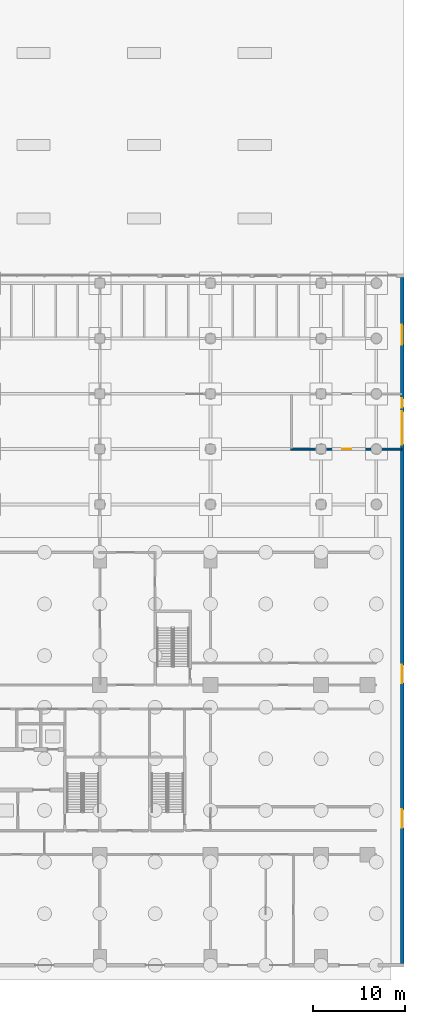
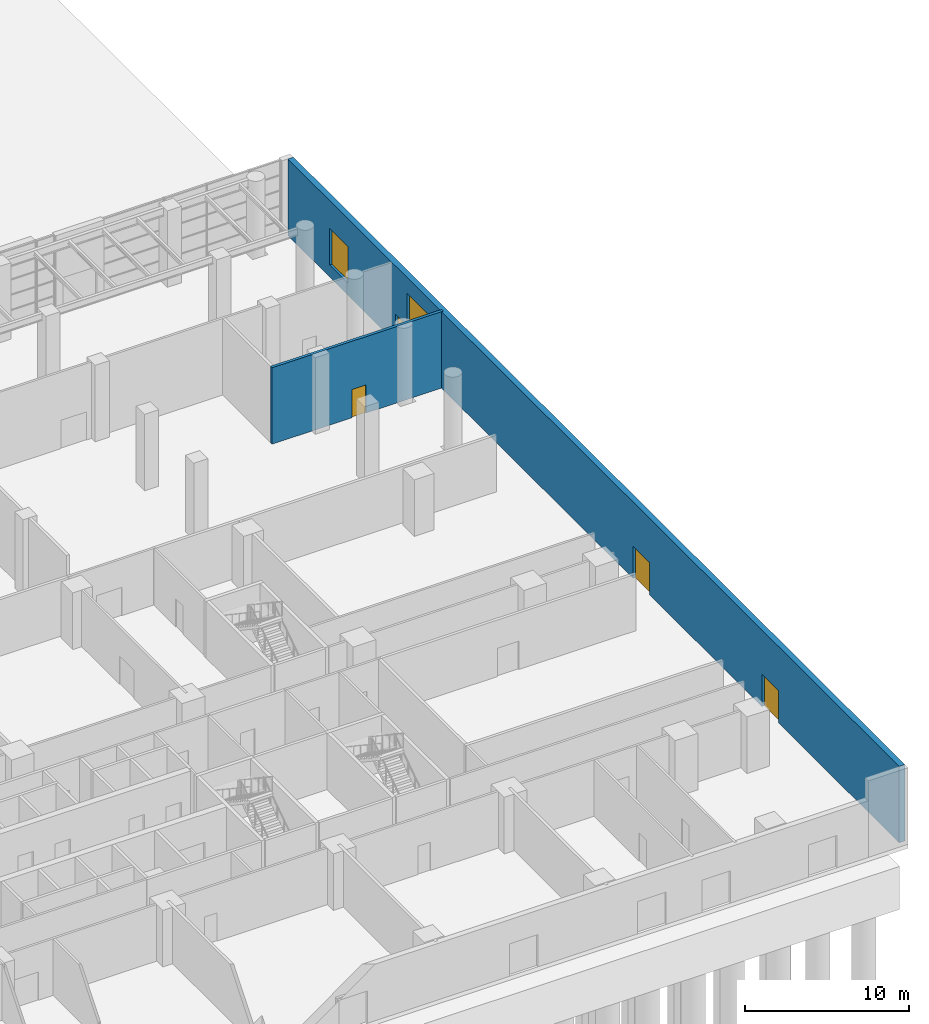
# One storey, part 22 of 27: 5 doors, 2 walls, 1 window, 6 openings.
"""IFC4 building model written with IfcOpenShell, lengths in metres."""

from ifc_helpers import new_model, si_unit, direction, frame, frame_2d, origin, place, context, subcontext, project, spatial, rectangle, extrude, material, layer, layer_set, type_object, element, fill, save


model = new_model("IFC4")

# Units and contexts
model_context = context("Model", 3, precision=1e-05, world=origin(), true_north=direction((0.0, 1.0)))
body_context = subcontext(model_context, "Body", "Model", "MODEL_VIEW")
ifc_project = project(units=[si_unit("LENGTHUNIT", "METRE"), si_unit("AREAUNIT", "SQUARE_METRE"), si_unit("VOLUMEUNIT", "CUBIC_METRE"), si_unit("PLANEANGLEUNIT", "RADIAN"), si_unit("MASSUNIT", "GRAM", prefix="KILO")], contexts=[model_context])

# Site, building, storey
site_placement = place(None, origin())
site = spatial("IfcSite", under=ifc_project, at=site_placement, CompositionType="ELEMENT")
building_placement = place(site_placement, origin())
building = spatial("IfcBuilding", under=site, at=building_placement, Name="Poui Terraces", CompositionType="ELEMENT")
storey_placement = place(building_placement, origin())
storey = spatial("IfcBuildingStorey", under=building, at=storey_placement, Name="L00", CompositionType="ELEMENT", Elevation=0.0)

# Wall, opening, door
ifc_material_1 = material(Name="Fire-rated masonry wall", Category="masonry")
ifc_layer_1 = layer(ifc_material_1, 0.199951171875)
ifc_layer_set_1 = layer_set([ifc_layer_1], Name="Fire-rated masonry wall")
wall_type_1 = type_object("IfcWallType", Name="COMPARTMENT WALL 200 5680 HIGH", PredefinedType="PARTITIONING", material=ifc_layer_set_1)
wall_1_placement = place(storey_placement, frame((92.699951171875, 56.0, 0.0), z_axis=(0.0, 0.0, 1.0), x_axis=(1.0, 0.0, 0.0)))
wall_1 = element("IfcWall", 1, at=wall_1_placement, inside=storey, type_object=wall_type_1, Name="COMPARTMENT WALL 200", PredefinedType="PARTITIONING", context=body_context, shape_type="SweptSolid", body=[
    extrude(rectangle(XDim=12.0400390625, YDim=0.199951171875, at=frame_2d((6.02001953125, 0.0))), origin(), (0.0, 0.0, 1.0), 5.679931640625),
])
opening_1_placement = place(wall_1_placement, frame((5.60009765625, 0.0, 0.0)))
opening_1 = element("IfcOpeningElement", 2, at=opening_1_placement, cuts=wall_1, Name="Opening D100", PredefinedType="OPENING", context=body_context, shape_type="SweptSolid", body=[
    extrude(rectangle(XDim=1.0, YDim=2.10009765625, at=frame_2d((0.5, 1.050048828125))), frame((0.0, 0.10986328125, 0.0), z_axis=(0.0, -1.0, 0.0), x_axis=(1.0, 0.0, 0.0)), (0.0, 0.0, 1.0), 0.219970703125),
])
ifc_material_2 = material(Name="Solid core timber door", Category="wood")
door_type_1 = type_object("IfcDoorType", Name="ACCESSIBLE INTERNAL DOOR 1000 X 2100", OperationType="NOTDEFINED", PredefinedType="DOOR", material=ifc_material_2)
door_1_placement = place(opening_1_placement, origin())
door_1 = element("IfcDoor", 3, at=door_1_placement, inside=storey, type_object=door_type_1, Name="ACCESSIBLE INTERNAL DOOR 071", OperationType="SINGLE_SWING_LEFT", OverallHeight=2.10009765625, OverallWidth=1.0, PredefinedType="DOOR", context=body_context, shape_type="SweptSolid", body=[
    extrude(rectangle(XDim=1.0, YDim=2.10009765625, at=frame_2d((0.5, 1.050048828125))), frame((0.0, 0.02490234375, 0.0), z_axis=(0.0, -1.0, 0.0), x_axis=(1.0, 0.0, 0.0)), (0.0, 0.0, 1.0), 0.050048828125),
])
fill(opening_1, door_1)

# Wall, openings, doors, window
ifc_material_3 = material(Name="Precast concrete 40 MPa", Category="concrete")
ifc_layer_2 = layer(ifc_material_3, 0.39990234375)
ifc_layer_set_2 = layer_set([ifc_layer_2], Name="Precast concrete 40 MPa")
wall_type_2 = type_object("IfcWallType", Name="EXTERNAL WALL 400", PredefinedType="STANDARD", material=ifc_layer_set_2)
wall_2_placement = place(storey_placement, frame((104.800048828125, 0.199951171875, 0.0), z_axis=(0.0, 0.0, 1.0), x_axis=(0.0, 1.0, 0.0)))
wall_2 = element("IfcWall", 4, at=wall_2_placement, inside=storey, type_object=wall_type_2, Name="EXTERNAL WALL E", PredefinedType="STANDARD", context=body_context, shape_type="SweptSolid", body=[
    extrude(rectangle(XDim=74.400146484375, YDim=0.39990234375, at=frame_2d((37.2001953125, 0.0))), origin(), (0.0, 0.0, 1.0), 5.679931640625),
])
opening_2_placement = place(wall_2_placement, frame((67.10009765625, 0.0, 0.89990234375)))
opening_2 = element("IfcOpeningElement", 5, at=opening_2_placement, cuts=wall_2, Name="Opening W4", PredefinedType="OPENING", context=body_context, shape_type="SweptSolid", body=[
    extrude(rectangle(XDim=2.199951171875, YDim=2.699951171875, at=frame_2d((1.10009765625, 1.35009765625))), frame((0.0, 0.2099609375, 0.0), z_axis=(0.0, -1.0, 0.0), x_axis=(1.0, 0.0, 0.0)), (0.0, 0.0, 1.0), 0.419921875),
])
opening_3_placement = place(wall_2_placement, frame((56.300048828125, 0.0, 0.0)))
opening_3 = element("IfcOpeningElement", 6, at=opening_3_placement, cuts=wall_2, Name="Opening RSD360T", PredefinedType="OPENING", context=body_context, shape_type="SweptSolid", body=[
    extrude(rectangle(XDim=3.60009765625, YDim=4.5, at=frame_2d((1.800048828125, 2.25))), frame((0.0, 0.2099609375, 0.0), z_axis=(0.0, -1.0, 0.0), x_axis=(1.0, 0.0, 0.0)), (0.0, 0.0, 1.0), 0.419921875),
])
opening_4_placement = place(wall_2_placement, frame((60.300048828125, 0.0, 0.0)))
opening_4 = element("IfcOpeningElement", 7, at=opening_4_placement, cuts=wall_2, Name="Opening XD100", PredefinedType="OPENING", context=body_context, shape_type="SweptSolid", body=[
    extrude(rectangle(XDim=1.0, YDim=2.10009765625, at=frame_2d((0.5, 1.050048828125))), frame((0.0, 0.2099609375, 0.0), z_axis=(0.0, -1.0, 0.0), x_axis=(1.0, 0.0, 0.0)), (0.0, 0.0, 1.0), 0.419921875),
])
opening_5_placement = place(wall_2_placement, frame((14.699951171875, 0.0, 0.0)))
opening_5 = element("IfcOpeningElement", 8, at=opening_5_placement, cuts=wall_2, Name="Opening XDD200", PredefinedType="OPENING", context=body_context, shape_type="SweptSolid", body=[
    extrude(rectangle(XDim=2.0, YDim=2.39990234375, at=frame_2d((1.0, 1.199951171875))), frame((0.0, 0.2099609375, 0.0), z_axis=(0.0, -1.0, 0.0), x_axis=(1.0, 0.0, 0.0)), (0.0, 0.0, 1.0), 0.419921875),
])
opening_6_placement = place(wall_2_placement, frame((30.39990234375, 0.0, 0.0)))
opening_6 = element("IfcOpeningElement", 9, at=opening_6_placement, cuts=wall_2, Name="Opening XDD200", PredefinedType="OPENING", context=body_context, shape_type="SweptSolid", body=[
    extrude(rectangle(XDim=2.0, YDim=2.39990234375, at=frame_2d((1.0, 1.199951171875))), frame((0.0, 0.2099609375, 0.0), z_axis=(0.0, -1.0, 0.0), x_axis=(1.0, 0.0, 0.0)), (0.0, 0.0, 1.0), 0.419921875),
])
ifc_material_4 = material(Name="Aluminium glazed door", Category="aluminium")
door_type_2 = type_object("IfcDoorType", Name="EXTERNAL DOOR 1000 X 2100", OperationType="NOTDEFINED", PredefinedType="DOOR", material=ifc_material_4)
door_2_placement = place(opening_4_placement, frame((1.0, 0.0, 0.0), z_axis=(0.0, 0.0, 1.0), x_axis=(-1.0, 0.0, 0.0)))
door_2 = element("IfcDoor", 10, at=door_2_placement, inside=storey, type_object=door_type_2, Name="EXTERNAL DOOR 074", OperationType="SINGLE_SWING_LEFT", OverallHeight=2.10009765625, OverallWidth=1.0, PredefinedType="DOOR", context=body_context, shape_type="SweptSolid", body=[
    extrude(rectangle(XDim=1.0, YDim=2.10009765625, at=frame_2d((0.5, 1.050048828125))), frame((0.0, 0.02490234375, 0.0), z_axis=(0.0, -1.0, 0.0), x_axis=(1.0, 0.0, 0.0)), (0.0, 0.0, 1.0), 0.050048828125),
])
fill(opening_4, door_2)
door_type_3 = type_object("IfcDoorType", Name="EXTERNAL DOUBLE DOOR 2000 X 2400", OperationType="DOUBLE_DOOR_SINGLE_SWING", PredefinedType="DOOR", material=ifc_material_4)
door_3_placement = place(opening_5_placement, frame((2.0, 0.0, 0.0), z_axis=(0.0, 0.0, 1.0), x_axis=(-1.0, 0.0, 0.0)))
door_3 = element("IfcDoor", 11, at=door_3_placement, inside=storey, type_object=door_type_3, Name="EXTERNAL DOUBLE DOOR 077", OperationType="DOUBLE_DOOR_SINGLE_SWING", OverallHeight=2.39990234375, OverallWidth=2.0, PredefinedType="DOOR", context=body_context, shape_type="SweptSolid", body=[
    extrude(rectangle(XDim=2.0, YDim=2.39990234375, at=frame_2d((1.0, 1.199951171875))), frame((0.0, 0.02490234375, 0.0), z_axis=(0.0, -1.0, 0.0), x_axis=(1.0, 0.0, 0.0)), (0.0, 0.0, 1.0), 0.050048828125),
])
fill(opening_5, door_3)
door_4_placement = place(opening_6_placement, frame((2.0, 0.0, 0.0), z_axis=(0.0, 0.0, 1.0), x_axis=(-1.0, 0.0, 0.0)))
door_4 = element("IfcDoor", 12, at=door_4_placement, inside=storey, type_object=door_type_3, Name="EXTERNAL DOUBLE DOOR 081", OperationType="DOUBLE_DOOR_SINGLE_SWING", OverallHeight=2.39990234375, OverallWidth=2.0, PredefinedType="DOOR", context=body_context, shape_type="SweptSolid", body=[
    extrude(rectangle(XDim=2.0, YDim=2.39990234375, at=frame_2d((1.0, 1.199951171875))), frame((0.0, 0.02490234375, 0.0), z_axis=(0.0, -1.0, 0.0), x_axis=(1.0, 0.0, 0.0)), (0.0, 0.0, 1.0), 0.050048828125),
])
fill(opening_6, door_4)
ifc_material_5 = material(Name="Galvanised steel roller shutter", Category="steel")
door_type_4 = type_object("IfcDoorType", Name="LOADING BAY ROLLER DOOR 3600 X 4500", OperationType="ROLLINGUP", PredefinedType="DOOR", material=ifc_material_5)
door_5_placement = place(opening_3_placement, origin())
door_5 = element("IfcDoor", 13, at=door_5_placement, inside=storey, type_object=door_type_4, Name="LOADING BAY ROLLER DOOR 073", OperationType="ROLLINGUP", OverallHeight=4.5, OverallWidth=3.60009765625, PredefinedType="DOOR", context=body_context, shape_type="SweptSolid", body=[
    extrude(rectangle(XDim=3.60009765625, YDim=4.5, at=frame_2d((1.800048828125, 2.25))), frame((0.0, 0.02490234375, 0.0), z_axis=(0.0, -1.0, 0.0), x_axis=(1.0, 0.0, 0.0)), (0.0, 0.0, 1.0), 0.050048828125),
])
fill(opening_3, door_5)
ifc_material_6 = material(Name="Clear glass in aluminium frame", Category="aluminium")
window_type = type_object("IfcWindowType", Name="WINDOW 2200X2700", PartitioningType="DOUBLE_PANEL_HORIZONTAL", PredefinedType="WINDOW", material=ifc_material_6)
window_placement = place(opening_2_placement, origin())
window = element("IfcWindow", 14, at=window_placement, inside=storey, type_object=window_type, Name="W4 WINDOW", OverallHeight=2.699951171875, OverallWidth=2.199951171875, PartitioningType="DOUBLE_PANEL_HORIZONTAL", PredefinedType="WINDOW", context=body_context, shape_type="SweptSolid", body=[
    extrude(rectangle(XDim=2.199951171875, YDim=2.699951171875, at=frame_2d((1.10009765625, 1.35009765625))), frame((0.0, 0.030029296875, 0.0), z_axis=(0.0, -1.0, 0.0), x_axis=(1.0, 0.0, 0.0)), (0.0, 0.0, 1.0), 0.06005859375),
])
fill(opening_2, window)

save(model, "model.ifc")
